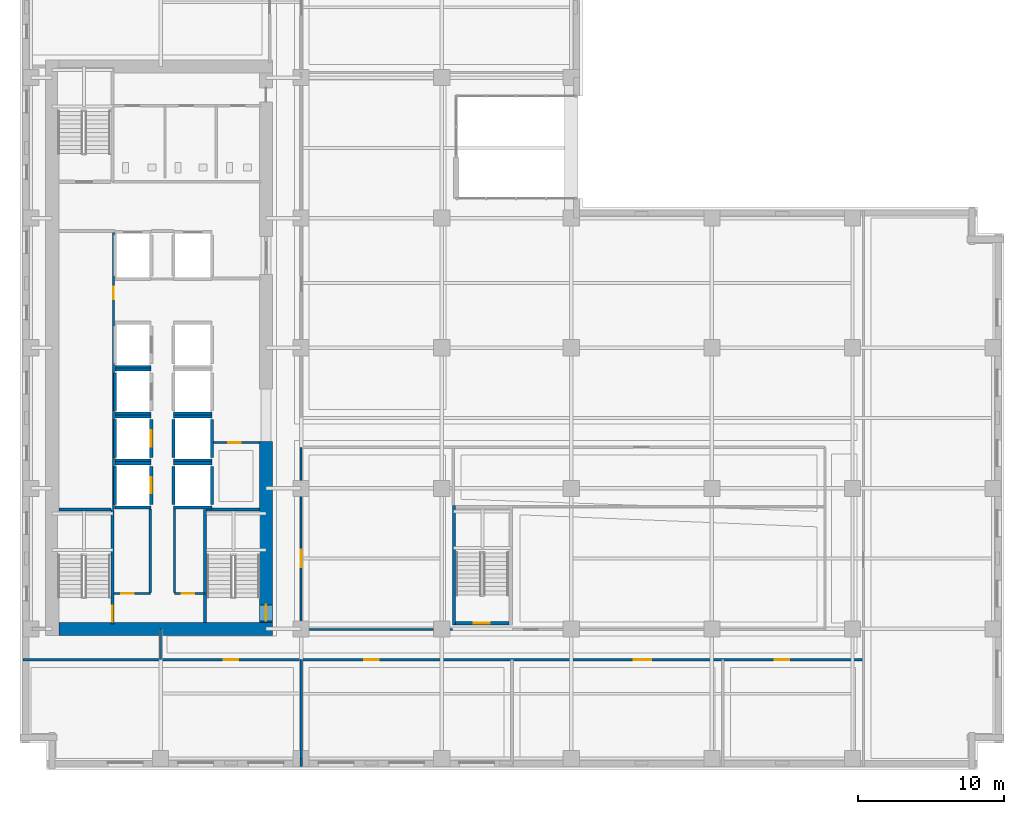
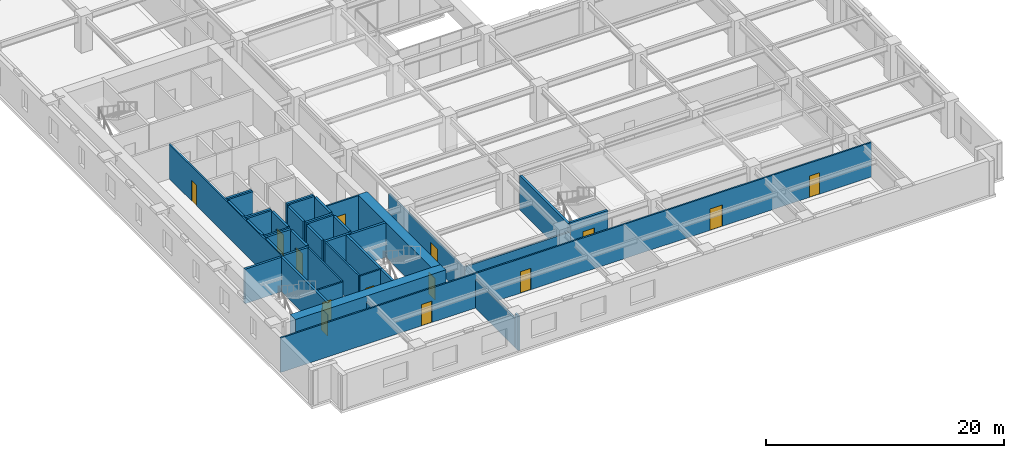
# One storey, part 4 of 14: 41 walls, 14 doors, 14 openings.
"""IFC4 building model written with IfcOpenShell, lengths in metres."""

from ifc_helpers import new_model, si_unit, direction, frame, frame_2d, origin, place, context, subcontext, project, spatial, rectangle, extrude, material, layer, layer_set, type_object, element, fill, save


model = new_model("IFC4")

# Units and contexts
model_context = context("Model", 3, precision=1e-05, world=origin(), true_north=direction((0.0, 1.0)))
body_context = subcontext(model_context, "Body", "Model", "MODEL_VIEW")
ifc_project = project(units=[si_unit("LENGTHUNIT", "METRE"), si_unit("AREAUNIT", "SQUARE_METRE"), si_unit("VOLUMEUNIT", "CUBIC_METRE"), si_unit("PLANEANGLEUNIT", "RADIAN"), si_unit("MASSUNIT", "GRAM", prefix="KILO")], contexts=[model_context])

# Site, building, storey
site_placement = place(None, origin())
site = spatial("IfcSite", under=ifc_project, at=site_placement, CompositionType="ELEMENT")
building_placement = place(site_placement, origin())
building = spatial("IfcBuilding", under=site, at=building_placement, Name="Norrvale University Quadrangle", CompositionType="ELEMENT")
storey_placement = place(building_placement, frame((0.0, 0.0, 62.199951171875)))
storey = spatial("IfcBuildingStorey", under=building, at=storey_placement, Name="L15", CompositionType="ELEMENT", Elevation=62.199951171875)

# Wall
ifc_material_1 = material(Name="Concrete C80/95", Category="concrete")
ifc_layer_1 = layer(ifc_material_1, 0.89990234375, Name="Concrete C80/95")
ifc_layer_set_1 = layer_set([ifc_layer_1], Name="Concrete C80/95")
wall_type_1 = type_object("IfcWallType", Name="Wall Core 900", PredefinedType="SHEAR", material=ifc_layer_set_1)
wall_1_placement = place(storey_placement, frame((2.64990234375, 9.60009765625, 0.0), z_axis=(0.0, 0.0, 1.0), x_axis=(1.0, 0.0, 0.0)))
element("IfcWall", 1, at=wall_1_placement, inside=storey, type_object=wall_type_1, Name="Tower Core Shear Wall L15-S", PredefinedType="SHEAR", context=body_context, shape_type="SweptSolid", body=[
    extrude(rectangle(XDim=14.60009765625, YDim=0.89990234375, at=frame_2d((7.300048828125, 0.0))), origin(), (0.0, 0.0, 1.0), 3.5400390625),
])

# Wall, opening, door
wall_2_placement = place(storey_placement, frame((16.800048828125, 10.050048828125, 0.0), z_axis=(0.0, 0.0, 1.0), x_axis=(0.0, 1.0, 0.0)))
wall_2 = element("IfcWall", 2, at=wall_2_placement, inside=storey, type_object=wall_type_1, Name="Tower Core Shear Wall L15-E1", PredefinedType="SHEAR", context=body_context, shape_type="SweptSolid", body=[
    extrude(rectangle(XDim=12.349853515625, YDim=0.89990234375, at=frame_2d((6.1748046875, 0.0))), origin(), (0.0, 0.0, 1.0), 3.5400390625),
])
opening_1_placement = place(wall_2_placement, frame((0.090087890625, 0.0, 0.0)))
opening_1 = element("IfcOpeningElement", 3, at=opening_1_placement, cuts=wall_2, Name="Opening D02", PredefinedType="OPENING", context=body_context, shape_type="SweptSolid", body=[
    extrude(rectangle(XDim=1.10009765625, YDim=2.199951171875, at=frame_2d((0.550048828125, 1.10009765625))), frame((0.0, 0.4619140625, 0.0), z_axis=(0.0, -1.0, 0.0), x_axis=(1.0, 0.0, 0.0)), (0.0, 0.0, 1.0), 0.923828125),
])
ifc_material_2 = material(Name="Hollow Steel 350W Fire Door", Category="steel")
door_type_1 = type_object("IfcDoorType", Name="Door Stair Exit 1100x2200", OperationType="NOTDEFINED", PredefinedType="DOOR", material=ifc_material_2)
door_1_placement = place(opening_1_placement, origin())
door_1 = element("IfcDoor", 4, at=door_1_placement, inside=storey, type_object=door_type_1, Name="Door Stair Exit 1100x2200 DR-L15-ST03", OperationType="SINGLE_SWING_LEFT", OverallHeight=2.199951171875, OverallWidth=1.10009765625, PredefinedType="DOOR", context=body_context, shape_type="SweptSolid", body=[
    extrude(rectangle(XDim=1.10009765625, YDim=2.199951171875, at=frame_2d((0.550048828125, 1.10009765625))), frame((0.0, 0.02490234375, 0.0), z_axis=(0.0, -1.0, 0.0), x_axis=(1.0, 0.0, 0.0)), (0.0, 0.0, 1.0), 0.050048828125),
])
fill(opening_1, door_1)

ifc_material_3 = material(Name="Fire-Rated Gypsum Stud Partition")
ifc_layer_2 = layer(ifc_material_3, 0.14990234375, Name="Fire-Rated Gypsum Stud Partition")
ifc_layer_set_2 = layer_set([ifc_layer_2], Name="Fire-Rated Gypsum Stud Partition")
wall_type_2 = type_object("IfcWallType", Name="Wall Gypsum Corridor 150", PredefinedType="PARTITIONING", material=ifc_layer_set_2)
wall_3_placement = place(storey_placement, frame((6.419921875, 12.02001953125, 0.0), z_axis=(0.0, 0.0, 1.0), x_axis=(1.0, 0.0, 0.0)))
wall_3 = element("IfcWall", 5, at=wall_3_placement, inside=storey, type_object=wall_type_2, Name="Interior Partition WL-L15-SC-NL", PredefinedType="PARTITIONING", context=body_context, shape_type="SweptSolid", body=[
    extrude(rectangle(XDim=2.47998046875, YDim=0.14990234375, at=frame_2d((1.239990234375, 0.0))), origin(), (0.0, 0.0, 1.0), 3.5400390625),
])
opening_2_placement = place(wall_3_placement, frame((0.5, 0.0, 0.0)))
opening_2 = element("IfcOpeningElement", 6, at=opening_2_placement, cuts=wall_3, Name="Opening D10", PredefinedType="OPENING", context=body_context, shape_type="SweptSolid", body=[
    extrude(rectangle(XDim=0.85009765625, YDim=2.10009765625, at=frame_2d((0.425048828125, 1.050048828125))), frame((0.0, 0.0869140625, 0.0), z_axis=(0.0, -1.0, 0.0), x_axis=(1.0, 0.0, 0.0)), (0.0, 0.0, 1.0), 0.173828125),
])
ifc_material_4 = material(Name="Hollow Steel 350W Riser Fire Door", Category="steel")
door_type_2 = type_object("IfcDoorType", Name="Door Riser 850x2100", OperationType="NOTDEFINED", PredefinedType="DOOR", material=ifc_material_4)
door_2_placement = place(opening_2_placement, origin())
door_2 = element("IfcDoor", 7, at=door_2_placement, inside=storey, type_object=door_type_2, Name="Door Riser 850x2100 DR-L15-ELEC", OperationType="SINGLE_SWING_LEFT", OverallHeight=2.10009765625, OverallWidth=0.85009765625, PredefinedType="DOOR", context=body_context, shape_type="SweptSolid", body=[
    extrude(rectangle(XDim=0.85009765625, YDim=2.10009765625, at=frame_2d((0.425048828125, 1.050048828125))), frame((0.0, 0.02490234375, 0.0), z_axis=(0.0, -1.0, 0.0), x_axis=(1.0, 0.0, 0.0)), (0.0, 0.0, 1.0), 0.050048828125),
])
fill(opening_2, door_2)

wall_4_placement = place(storey_placement, frame((10.550048828125, 12.02001953125, 0.0), z_axis=(0.0, 0.0, 1.0), x_axis=(1.0, 0.0, 0.0)))
wall_4 = element("IfcWall", 8, at=wall_4_placement, inside=storey, type_object=wall_type_2, Name="Interior Partition WL-L15-SC-NR", PredefinedType="PARTITIONING", context=body_context, shape_type="SweptSolid", body=[
    extrude(rectangle(XDim=2.079833984375, YDim=0.14990234375, at=frame_2d((1.0400390625, 0.0))), origin(), (0.0, 0.0, 1.0), 3.5400390625),
])
opening_3_placement = place(wall_4_placement, frame((0.5, 0.0, 0.0)))
opening_3 = element("IfcOpeningElement", 9, at=opening_3_placement, cuts=wall_4, Name="Opening D10", PredefinedType="OPENING", context=body_context, shape_type="SweptSolid", body=[
    extrude(rectangle(XDim=0.85009765625, YDim=2.10009765625, at=frame_2d((0.425048828125, 1.050048828125))), frame((0.0, 0.0869140625, 0.0), z_axis=(0.0, -1.0, 0.0), x_axis=(1.0, 0.0, 0.0)), (0.0, 0.0, 1.0), 0.173828125),
])
door_3_placement = place(opening_3_placement, origin())
door_3 = element("IfcDoor", 10, at=door_3_placement, inside=storey, type_object=door_type_2, Name="Door Riser 850x2100 DR-L15-IDF", OperationType="SINGLE_SWING_RIGHT", OverallHeight=2.10009765625, OverallWidth=0.85009765625, PredefinedType="DOOR", context=body_context, shape_type="SweptSolid", body=[
    extrude(rectangle(XDim=0.85009765625, YDim=2.10009765625, at=frame_2d((0.425048828125, 1.050048828125))), frame((0.0, 0.02490234375, 0.0), z_axis=(0.0, -1.0, 0.0), x_axis=(1.0, 0.0, 0.0)), (0.0, 0.0, 1.0), 0.050048828125),
])
fill(opening_3, door_3)

# Walls
for number, where, z_axis, x_axis, name in (
    (11, (8.89990234375, 12.094970703125, 0.0), (0.0, 0.0, 1.0), (0.0, 1.0, 0.0), "Interior Partition WL-L15-SC-WL"),
    (12, (10.550048828125, 12.094970703125, 0.0), (0.0, 0.0, 1.0), (0.0, 1.0, 0.0), "Interior Partition WL-L15-SC-WR"),
):
    element("IfcWall", number, at=place(storey_placement, frame(where, z_axis=z_axis, x_axis=x_axis)), inside=storey, type_object=wall_type_2, Name=name, PredefinedType="PARTITIONING", context=body_context, shape_type="SweptSolid", body=[
        extrude(rectangle(XDim=5.679931640625, YDim=0.14990234375, at=frame_2d((2.83984375, 0.0))), origin(), (0.0, 0.0, 1.0), 3.5400390625),
    ])

# Wall, opening, door
wall_5_placement = place(storey_placement, frame((13.22509765625, 22.320068359375, 0.0), z_axis=(0.0, 0.0, 1.0), x_axis=(1.0, 0.0, 0.0)))
wall_5 = element("IfcWall", 13, at=wall_5_placement, inside=storey, type_object=wall_type_2, Name="Interior Partition WL-L15-JAN-N", PredefinedType="PARTITIONING", context=body_context, shape_type="SweptSolid", body=[
    extrude(rectangle(XDim=3.119873046875, YDim=0.14990234375, at=frame_2d((1.56005859375, 0.0))), origin(), (0.0, 0.0, 1.0), 3.5400390625),
])
opening_4_placement = place(wall_5_placement, frame((1.0, 0.0, 0.0)))
opening_4 = element("IfcOpeningElement", 14, at=opening_4_placement, cuts=wall_5, Name="Opening D10", PredefinedType="OPENING", context=body_context, shape_type="SweptSolid", body=[
    extrude(rectangle(XDim=0.85009765625, YDim=2.10009765625, at=frame_2d((0.425048828125, 1.050048828125))), frame((0.0, 0.0869140625, 0.0), z_axis=(0.0, -1.0, 0.0), x_axis=(1.0, 0.0, 0.0)), (0.0, 0.0, 1.0), 0.173828125),
])
door_4_placement = place(opening_4_placement, origin())
door_4 = element("IfcDoor", 15, at=door_4_placement, inside=storey, type_object=door_type_2, Name="Door Riser 850x2100 DR-L15-JAN", OperationType="SINGLE_SWING_LEFT", OverallHeight=2.10009765625, OverallWidth=0.85009765625, PredefinedType="DOOR", context=body_context, shape_type="SweptSolid", body=[
    extrude(rectangle(XDim=0.85009765625, YDim=2.10009765625, at=frame_2d((0.425048828125, 1.050048828125))), frame((0.0, 0.02490234375, 0.0), z_axis=(0.0, -1.0, 0.0), x_axis=(1.0, 0.0, 0.0)), (0.0, 0.0, 1.0), 0.050048828125),
])
fill(opening_4, door_4)

wall_6_placement = place(storey_placement, frame((6.3798828125, 17.800048828125, 0.0), z_axis=(0.0, 0.0, 1.0), x_axis=(0.0, 1.0, 0.0)))
wall_6 = element("IfcWall", 16, at=wall_6_placement, inside=storey, type_object=wall_type_2, Name="Interior Partition WL-L15-WME-E", PredefinedType="PARTITIONING", context=body_context, shape_type="SweptSolid", body=[
    extrude(rectangle(XDim=18.97998046875, YDim=0.14990234375, at=frame_2d((9.489990234375, 0.0))), origin(), (0.0, 0.0, 1.0), 3.5400390625),
])
opening_5_placement = place(wall_6_placement, frame((14.300048828125, 0.0, 0.0)))
opening_5 = element("IfcOpeningElement", 17, at=opening_5_placement, cuts=wall_6, Name="Opening D10", PredefinedType="OPENING", context=body_context, shape_type="SweptSolid", body=[
    extrude(rectangle(XDim=0.85009765625, YDim=2.10009765625, at=frame_2d((0.425048828125, 1.050048828125))), frame((0.0, 0.0869140625, 0.0), z_axis=(0.0, -1.0, 0.0), x_axis=(1.0, 0.0, 0.0)), (0.0, 0.0, 1.0), 0.173828125),
])
door_5_placement = place(opening_5_placement, origin())
door_5 = element("IfcDoor", 18, at=door_5_placement, inside=storey, type_object=door_type_2, Name="Door Riser 850x2100 DR-L15-WME", OperationType="SINGLE_SWING_LEFT", OverallHeight=2.10009765625, OverallWidth=0.85009765625, PredefinedType="DOOR", context=body_context, shape_type="SweptSolid", body=[
    extrude(rectangle(XDim=0.85009765625, YDim=2.10009765625, at=frame_2d((0.425048828125, 1.050048828125))), frame((0.0, 0.02490234375, 0.0), z_axis=(0.0, -1.0, 0.0), x_axis=(1.0, 0.0, 0.0)), (0.0, 0.0, 1.0), 0.050048828125),
])
fill(opening_5, door_5)

# Wall
wall_7_placement = place(storey_placement, frame((9.60009765625, 7.5, 0.0), z_axis=(0.0, 0.0, 1.0), x_axis=(0.0, 1.0, 0.0)))
element("IfcWall", 19, at=wall_7_placement, inside=storey, type_object=wall_type_2, Name="Interior Partition WL-L15-CSW-END", PredefinedType="PARTITIONING", context=body_context, shape_type="SweptSolid", body=[
    extrude(rectangle(XDim=2.10009765625, YDim=0.14990234375, at=frame_2d((1.050048828125, 0.0))), origin(), (0.0, 0.0, 1.0), 2.923095703125),
])

# Wall, openings, doors
wall_8_placement = place(storey_placement, frame((0.219970703125, 7.5, 0.0), z_axis=(0.0, 0.0, 1.0), x_axis=(1.0, 0.0, 0.0)))
wall_8 = element("IfcWall", 20, at=wall_8_placement, inside=storey, type_object=wall_type_2, Name="Interior Partition WL-L15-SCW", PredefinedType="PARTITIONING", context=body_context, shape_type="SweptSolid", body=[
    extrude(rectangle(XDim=57.380126953125, YDim=0.14990234375, at=frame_2d((28.68994140625, 0.0))), origin(), (0.0, 0.0, 1.0), 3.5400390625),
])
opening_6_placement = place(wall_8_placement, frame((13.679931640625, 0.0, 0.0)))
opening_6 = element("IfcOpeningElement", 21, at=opening_6_placement, cuts=wall_8, Name="Opening D04", PredefinedType="OPENING", context=body_context, shape_type="SweptSolid", body=[
    extrude(rectangle(XDim=1.0, YDim=2.199951171875, at=frame_2d((0.5, 1.10009765625))), frame((0.0, 0.0869140625, 0.0), z_axis=(0.0, -1.0, 0.0), x_axis=(1.0, 0.0, 0.0)), (0.0, 0.0, 1.0), 0.173828125),
])
opening_7_placement = place(wall_8_placement, frame((23.280029296875, 0.0, 0.0)))
opening_7 = element("IfcOpeningElement", 22, at=opening_7_placement, cuts=wall_8, Name="Opening D04", PredefinedType="OPENING", context=body_context, shape_type="SweptSolid", body=[
    extrude(rectangle(XDim=1.0, YDim=2.199951171875, at=frame_2d((0.5, 1.10009765625))), frame((0.0, 0.0869140625, 0.0), z_axis=(0.0, -1.0, 0.0), x_axis=(1.0, 0.0, 0.0)), (0.0, 0.0, 1.0), 0.173828125),
])
opening_8_placement = place(wall_8_placement, frame((41.679931640625, 0.0, 0.0)))
opening_8 = element("IfcOpeningElement", 23, at=opening_8_placement, cuts=wall_8, Name="Opening D05", PredefinedType="OPENING", context=body_context, shape_type="SweptSolid", body=[
    extrude(rectangle(XDim=1.199951171875, YDim=2.199951171875, at=frame_2d((0.60009765625, 1.10009765625))), frame((0.0, 0.0869140625, 0.0), z_axis=(0.0, -1.0, 0.0), x_axis=(1.0, 0.0, 0.0)), (0.0, 0.0, 1.0), 0.173828125),
])
opening_9_placement = place(wall_8_placement, frame((51.330078125, 0.0, 0.0)))
opening_9 = element("IfcOpeningElement", 24, at=opening_9_placement, cuts=wall_8, Name="Opening D04", PredefinedType="OPENING", context=body_context, shape_type="SweptSolid", body=[
    extrude(rectangle(XDim=1.0, YDim=2.199951171875, at=frame_2d((0.5, 1.10009765625))), frame((0.0, 0.0869140625, 0.0), z_axis=(0.0, -1.0, 0.0), x_axis=(1.0, 0.0, 0.0)), (0.0, 0.0, 1.0), 0.173828125),
])
ifc_material_5 = material(Name="Acoustic Oak Classroom Door", Category="wood")
door_type_3 = type_object("IfcDoorType", Name="Door Classroom 1200x2200", OperationType="NOTDEFINED", PredefinedType="DOOR", material=ifc_material_5)
door_6_placement = place(opening_8_placement, origin())
door_6 = element("IfcDoor", 25, at=door_6_placement, inside=storey, type_object=door_type_3, Name="Door Classroom 1200x2200 DR-L15-S03", OperationType="SINGLE_SWING_LEFT", OverallHeight=2.199951171875, OverallWidth=1.199951171875, PredefinedType="DOOR", context=body_context, shape_type="SweptSolid", body=[
    extrude(rectangle(XDim=1.199951171875, YDim=2.199951171875, at=frame_2d((0.60009765625, 1.10009765625))), frame((0.0, 0.02490234375, 0.0), z_axis=(0.0, -1.0, 0.0), x_axis=(1.0, 0.0, 0.0)), (0.0, 0.0, 1.0), 0.050048828125),
])
fill(opening_8, door_6)
ifc_material_6 = material(Name="Solid-Core Oak Fire Door", Category="wood")
door_type_4 = type_object("IfcDoorType", Name="Door Corridor 1000x2200", OperationType="NOTDEFINED", PredefinedType="DOOR", material=ifc_material_6)
door_7_placement = place(opening_6_placement, origin())
door_7 = element("IfcDoor", 26, at=door_7_placement, inside=storey, type_object=door_type_4, Name="Door Corridor 1000x2200 DR-L15-S01", OperationType="SINGLE_SWING_LEFT", OverallHeight=2.199951171875, OverallWidth=1.0, PredefinedType="DOOR", context=body_context, shape_type="SweptSolid", body=[
    extrude(rectangle(XDim=1.0, YDim=2.199951171875, at=frame_2d((0.5, 1.10009765625))), frame((0.0, 0.02490234375, 0.0), z_axis=(0.0, -1.0, 0.0), x_axis=(1.0, 0.0, 0.0)), (0.0, 0.0, 1.0), 0.050048828125),
])
fill(opening_6, door_7)
door_8_placement = place(opening_7_placement, origin())
door_8 = element("IfcDoor", 27, at=door_8_placement, inside=storey, type_object=door_type_4, Name="Door Corridor 1000x2200 DR-L15-S02", OperationType="SINGLE_SWING_RIGHT", OverallHeight=2.199951171875, OverallWidth=1.0, PredefinedType="DOOR", context=body_context, shape_type="SweptSolid", body=[
    extrude(rectangle(XDim=1.0, YDim=2.199951171875, at=frame_2d((0.5, 1.10009765625))), frame((0.0, 0.02490234375, 0.0), z_axis=(0.0, -1.0, 0.0), x_axis=(1.0, 0.0, 0.0)), (0.0, 0.0, 1.0), 0.050048828125),
])
fill(opening_7, door_8)
door_9_placement = place(opening_9_placement, origin())
door_9 = element("IfcDoor", 28, at=door_9_placement, inside=storey, type_object=door_type_4, Name="Door Corridor 1000x2200 DR-L15-S04", OperationType="SINGLE_SWING_RIGHT", OverallHeight=2.199951171875, OverallWidth=1.0, PredefinedType="DOOR", context=body_context, shape_type="SweptSolid", body=[
    extrude(rectangle(XDim=1.0, YDim=2.199951171875, at=frame_2d((0.5, 1.10009765625))), frame((0.0, 0.02490234375, 0.0), z_axis=(0.0, -1.0, 0.0), x_axis=(1.0, 0.0, 0.0)), (0.0, 0.0, 1.0), 0.050048828125),
])
fill(opening_9, door_9)

# Wall, opening, door
wall_9_placement = place(storey_placement, frame((19.199951171875, 9.550048828125, 0.0), z_axis=(0.0, 0.0, 1.0), x_axis=(0.0, 1.0, 0.0)))
wall_9 = element("IfcWall", 29, at=wall_9_placement, inside=storey, type_object=wall_type_2, Name="Interior Partition WL-L15-ISLW", PredefinedType="PARTITIONING", context=body_context, shape_type="SweptSolid", body=[
    extrude(rectangle(XDim=12.449951171875, YDim=0.14990234375, at=frame_2d((6.22509765625, 0.0))), origin(), (0.0, 0.0, 1.0), 2.923095703125),
])
opening_10_placement = place(wall_9_placement, frame((4.25, 0.0, 0.0)))
opening_10 = element("IfcOpeningElement", 30, at=opening_10_placement, cuts=wall_9, Name="Opening D05", PredefinedType="OPENING", context=body_context, shape_type="SweptSolid", body=[
    extrude(rectangle(XDim=1.199951171875, YDim=2.199951171875, at=frame_2d((0.60009765625, 1.10009765625))), frame((0.0, 0.0869140625, 0.0), z_axis=(0.0, -1.0, 0.0), x_axis=(1.0, 0.0, 0.0)), (0.0, 0.0, 1.0), 0.173828125),
])
door_10_placement = place(opening_10_placement, origin())
door_10 = element("IfcDoor", 31, at=door_10_placement, inside=storey, type_object=door_type_3, Name="Door Classroom 1200x2200 DR-L15-IW1", OperationType="SINGLE_SWING_LEFT", OverallHeight=2.199951171875, OverallWidth=1.199951171875, PredefinedType="DOOR", context=body_context, shape_type="SweptSolid", body=[
    extrude(rectangle(XDim=1.199951171875, YDim=2.199951171875, at=frame_2d((0.60009765625, 1.10009765625))), frame((0.0, 0.02490234375, 0.0), z_axis=(0.0, -1.0, 0.0), x_axis=(1.0, 0.0, 0.0)), (0.0, 0.0, 1.0), 0.050048828125),
])
fill(opening_10, door_10)

# Walls
wall_10_placement = place(storey_placement, frame((19.280029296875, 9.550048828125, 0.0), z_axis=(0.0, 0.0, 1.0), x_axis=(1.0, 0.0, 0.0)))
element("IfcWall", 32, at=wall_10_placement, inside=storey, type_object=wall_type_2, Name="Interior Partition WL-L15-ISLS1", PredefinedType="PARTITIONING", context=body_context, shape_type="SweptSolid", body=[
    extrude(rectangle(XDim=10.244873046875, YDim=0.14990234375, at=frame_2d((5.12255859375, 0.0))), origin(), (0.0, 0.0, 1.0), 2.923095703125),
])
ifc_material_7 = material(Name="Acoustic Double-Stud Gypsum Partition")
ifc_layer_3 = layer(ifc_material_7, 0.179931640625, Name="Acoustic Double-Stud Gypsum Partition")
ifc_layer_set_3 = layer_set([ifc_layer_3], Name="Acoustic Double-Stud Gypsum Partition")
wall_type_3 = type_object("IfcWallType", Name="Wall Gypsum Lecture 180", PredefinedType="PARTITIONING", material=ifc_layer_set_3)
wall_11_placement = place(storey_placement, frame((19.199951171875, 0.219970703125, 0.0), z_axis=(0.0, 0.0, 1.0), x_axis=(0.0, 1.0, 0.0)))
element("IfcWall", 33, at=wall_11_placement, inside=storey, type_object=wall_type_3, Name="Interior Partition WL-L15-SP01", PredefinedType="PARTITIONING", context=body_context, shape_type="SweptSolid", body=[
    extrude(rectangle(XDim=0.530029296875, YDim=0.179931640625, at=frame_2d((0.26513671875, 0.0))), origin(), (0.0, 0.0, 1.0), 3.5400390625),
])
wall_12_placement = place(storey_placement, frame((19.199951171875, 0.75, 0.0), z_axis=(0.0, 0.0, 1.0), x_axis=(0.0, 1.0, 0.0)))
element("IfcWall", 34, at=wall_12_placement, inside=storey, type_object=wall_type_3, Name="Interior Partition WL-L15-SP01-B2", PredefinedType="PARTITIONING", context=body_context, shape_type="SweptSolid", body=[
    extrude(rectangle(XDim=6.75, YDim=0.179931640625, at=frame_2d((3.375, 0.0))), origin(), (0.0, 0.0, 1.0), 2.923095703125),
])

# Wall, opening, door
ifc_material_8 = material(Name="Concrete Blockwork 20 MPa Fire Shaft", Category="masonry")
ifc_layer_4 = layer(ifc_material_8, 0.219970703125, Name="Concrete Blockwork 20 MPa Fire Shaft")
ifc_layer_set_4 = layer_set([ifc_layer_4], Name="Concrete Blockwork 20 MPa Fire Shaft")
wall_type_4 = type_object("IfcWallType", Name="Wall Shaft 220", PredefinedType="SOLIDWALL", material=ifc_layer_set_4)
wall_13_placement = place(storey_placement, frame((6.31005859375, 9.949951171875, 0.0), z_axis=(0.0, 0.0, 1.0), x_axis=(0.0, 1.0, 0.0)))
wall_13 = element("IfcWall", 35, at=wall_13_placement, inside=storey, type_object=wall_type_4, Name="Stair ST-01 East Shaft Wall L15", PredefinedType="SOLIDWALL", context=body_context, shape_type="SweptSolid", body=[
    extrude(rectangle(XDim=7.81005859375, YDim=0.219970703125, at=frame_2d((3.905029296875, 0.0))), origin(), (0.0, 0.0, 1.0), 3.5400390625),
])
opening_11_placement = place(wall_13_placement, frame((0.139892578125, 0.0, 0.0)))
opening_11 = element("IfcOpeningElement", 36, at=opening_11_placement, cuts=wall_13, Name="Opening D02", PredefinedType="OPENING", context=body_context, shape_type="SweptSolid", body=[
    extrude(rectangle(XDim=1.10009765625, YDim=2.199951171875, at=frame_2d((0.550048828125, 1.10009765625))), frame((0.0, 0.1220703125, 0.0), z_axis=(0.0, -1.0, 0.0), x_axis=(1.0, 0.0, 0.0)), (0.0, 0.0, 1.0), 0.243896484375),
])
door_11_placement = place(opening_11_placement, origin())
door_11 = element("IfcDoor", 37, at=door_11_placement, inside=storey, type_object=door_type_1, Name="Door Stair Exit 1100x2200 DR-L15-ST01", OperationType="SINGLE_SWING_LEFT", OverallHeight=2.199951171875, OverallWidth=1.10009765625, PredefinedType="DOOR", context=body_context, shape_type="SweptSolid", body=[
    extrude(rectangle(XDim=1.10009765625, YDim=2.199951171875, at=frame_2d((0.550048828125, 1.10009765625))), frame((0.0, 0.02490234375, 0.0), z_axis=(0.0, -1.0, 0.0), x_axis=(1.0, 0.0, 0.0)), (0.0, 0.0, 1.0), 0.050048828125),
])
fill(opening_11, door_11)

# Walls
wall_14_placement = place(storey_placement, frame((2.64990234375, 17.760009765625, 0.0), z_axis=(0.0, 0.0, 1.0), x_axis=(1.0, 0.0, 0.0)))
element("IfcWall", 38, at=wall_14_placement, inside=storey, type_object=wall_type_4, Name="Stair ST-01 North Shaft Wall L15", PredefinedType="SOLIDWALL", context=body_context, shape_type="SweptSolid", body=[
    extrude(rectangle(XDim=3.550048828125, YDim=0.219970703125, at=frame_2d((1.77490234375, 0.0))), origin(), (0.0, 0.0, 1.0), 3.5400390625),
])
wall_15_placement = place(storey_placement, frame((12.639892578125, 10.050048828125, 0.0), z_axis=(0.0, 0.0, 1.0), x_axis=(0.0, 1.0, 0.0)))
element("IfcWall", 39, at=wall_15_placement, inside=storey, type_object=wall_type_4, Name="Stair ST-03 West Shaft Wall L15", PredefinedType="SOLIDWALL", context=body_context, shape_type="SweptSolid", body=[
    extrude(rectangle(XDim=7.7099609375, YDim=0.219970703125, at=frame_2d((3.85498046875, 0.0))), origin(), (0.0, 0.0, 1.0), 3.5400390625),
])
wall_16_placement = place(storey_placement, frame((12.75, 17.760009765625, 0.0), z_axis=(0.0, 0.0, 1.0), x_axis=(1.0, 0.0, 0.0)))
element("IfcWall", 40, at=wall_16_placement, inside=storey, type_object=wall_type_4, Name="Stair ST-03 North Shaft Wall L15", PredefinedType="SOLIDWALL", context=body_context, shape_type="SweptSolid", body=[
    extrude(rectangle(XDim=3.60009765625, YDim=0.219970703125, at=frame_2d((1.800048828125, 0.0))), origin(), (0.0, 0.0, 1.0), 3.5400390625),
])

# Wall, opening, door
wall_17_placement = place(storey_placement, frame((29.75, 9.989990234375, 0.0), z_axis=(0.0, 0.0, 1.0), x_axis=(1.0, 0.0, 0.0)))
wall_17 = element("IfcWall", 41, at=wall_17_placement, inside=storey, type_object=wall_type_4, Name="Stair ST-04 South Shaft Wall L15", PredefinedType="SOLIDWALL", context=body_context, shape_type="SweptSolid", body=[
    extrude(rectangle(XDim=3.64990234375, YDim=0.219970703125, at=frame_2d((1.824951171875, 0.0))), origin(), (0.0, 0.0, 1.0), 3.5400390625),
])
opening_12_placement = place(wall_17_placement, frame((1.239990234375, 0.0, 0.0)))
opening_12 = element("IfcOpeningElement", 42, at=opening_12_placement, cuts=wall_17, Name="Opening D02", PredefinedType="OPENING", context=body_context, shape_type="SweptSolid", body=[
    extrude(rectangle(XDim=1.10009765625, YDim=2.199951171875, at=frame_2d((0.550048828125, 1.10009765625))), frame((0.0, 0.1220703125, 0.0), z_axis=(0.0, -1.0, 0.0), x_axis=(1.0, 0.0, 0.0)), (0.0, 0.0, 1.0), 0.243896484375),
])
door_12_placement = place(opening_12_placement, origin())
door_12 = element("IfcDoor", 43, at=door_12_placement, inside=storey, type_object=door_type_1, Name="Door Stair Exit 1100x2200 DR-L15-ST04", OperationType="SINGLE_SWING_LEFT", OverallHeight=2.199951171875, OverallWidth=1.10009765625, PredefinedType="DOOR", context=body_context, shape_type="SweptSolid", body=[
    extrude(rectangle(XDim=1.10009765625, YDim=2.199951171875, at=frame_2d((0.550048828125, 1.10009765625))), frame((0.0, 0.02490234375, 0.0), z_axis=(0.0, -1.0, 0.0), x_axis=(1.0, 0.0, 0.0)), (0.0, 0.0, 1.0), 0.050048828125),
])
fill(opening_12, door_12)

# Walls
wall_18_placement = place(storey_placement, frame((29.639892578125, 9.8798828125, 0.0), z_axis=(0.0, 0.0, 1.0), x_axis=(0.0, 1.0, 0.0)))
element("IfcWall", 44, at=wall_18_placement, inside=storey, type_object=wall_type_4, Name="Stair ST-04 West Shaft Wall L15", PredefinedType="SOLIDWALL", context=body_context, shape_type="SweptSolid", body=[
    extrude(rectangle(XDim=8.14013671875, YDim=0.219970703125, at=frame_2d((4.070068359375, 0.0))), origin(), (0.0, 0.0, 1.0), 3.5400390625),
])
wall_19_placement = place(storey_placement, frame((6.489990234375, 18.110107421875, 0.0), z_axis=(0.0, 0.0, 1.0), x_axis=(0.0, 1.0, 0.0)))
element("IfcWall", 45, at=wall_19_placement, inside=storey, type_object=wall_type_4, Name="Hoistway PL-01 West Wall L15", PredefinedType="SOLIDWALL", context=body_context, shape_type="SweptSolid", body=[
    extrude(rectangle(XDim=2.579833984375, YDim=0.219970703125, at=frame_2d((1.2900390625, 0.0))), origin(), (0.0, 0.0, 1.0), 3.5400390625),
])

# Wall, opening, door
wall_20_placement = place(storey_placement, frame((8.9599609375, 18.110107421875, 0.0), z_axis=(0.0, 0.0, 1.0), x_axis=(0.0, 1.0, 0.0)))
wall_20 = element("IfcWall", 46, at=wall_20_placement, inside=storey, type_object=wall_type_4, Name="Hoistway PL-01 East Wall L15", PredefinedType="SOLIDWALL", context=body_context, shape_type="SweptSolid", body=[
    extrude(rectangle(XDim=2.579833984375, YDim=0.219970703125, at=frame_2d((1.2900390625, 0.0))), origin(), (0.0, 0.0, 1.0), 3.5400390625),
])
opening_13_placement = place(wall_20_placement, frame((0.739990234375, 0.0, 0.0)))
opening_13 = element("IfcOpeningElement", 47, at=opening_13_placement, cuts=wall_20, Name="Opening LD1", PredefinedType="OPENING", context=body_context, shape_type="SweptSolid", body=[
    extrude(rectangle(XDim=1.10009765625, YDim=2.199951171875, at=frame_2d((0.550048828125, 1.10009765625))), frame((0.0, 0.1220703125, 0.0), z_axis=(0.0, -1.0, 0.0), x_axis=(1.0, 0.0, 0.0)), (0.0, 0.0, 1.0), 0.243896484375),
])
ifc_material_9 = material(Name="Stainless Steel 316L Lift Landing Door", Category="steel")
door_type_5 = type_object("IfcDoorType", Name="Door Lift Landing 1100x2200", OperationType="DOUBLE_DOOR_SLIDING", PredefinedType="DOOR", material=ifc_material_9)
door_13_placement = place(opening_13_placement, origin())
door_13 = element("IfcDoor", 48, at=door_13_placement, inside=storey, type_object=door_type_5, Name="Elevator Landing Door DR-L15-PL-01", OperationType="DOUBLE_DOOR_SLIDING", OverallHeight=2.199951171875, OverallWidth=1.10009765625, PredefinedType="DOOR", context=body_context, shape_type="SweptSolid", body=[
    extrude(rectangle(XDim=1.10009765625, YDim=2.199951171875, at=frame_2d((0.550048828125, 1.10009765625))), frame((0.0, 0.02490234375, 0.0), z_axis=(0.0, -1.0, 0.0), x_axis=(1.0, 0.0, 0.0)), (0.0, 0.0, 1.0), 0.050048828125),
])
fill(opening_13, door_13)

# Walls
for number, where, z_axis, x_axis, name in (
    (49, (6.489990234375, 17.889892578125, 0.0), (0.0, 0.0, 1.0), (1.0, 0.0, 0.0), "Hoistway PL-01 South Wall L15"),
    (50, (6.489990234375, 20.909912109375, 0.0), (0.0, 0.0, 1.0), (1.0, 0.0, 0.0), "Hoistway PL-01 North Wall L15"),
):
    element("IfcWall", number, at=place(storey_placement, frame(where, z_axis=z_axis, x_axis=x_axis)), inside=storey, type_object=wall_type_4, Name=name, PredefinedType="SOLIDWALL", context=body_context, shape_type="SweptSolid", body=[
        extrude(rectangle(XDim=2.469970703125, YDim=0.219970703125, at=frame_2d((1.23486328125, 0.0))), origin(), (0.0, 0.0, 1.0), 3.5400390625),
    ])
wall_21_placement = place(storey_placement, frame((6.489990234375, 21.31005859375, 0.0), z_axis=(0.0, 0.0, 1.0), x_axis=(0.0, 1.0, 0.0)))
element("IfcWall", 51, at=wall_21_placement, inside=storey, type_object=wall_type_4, Name="Hoistway PL-02 West Wall L15", PredefinedType="SOLIDWALL", context=body_context, shape_type="SweptSolid", body=[
    extrude(rectangle(XDim=2.579833984375, YDim=0.219970703125, at=frame_2d((1.2900390625, 0.0))), origin(), (0.0, 0.0, 1.0), 3.5400390625),
])

# Wall, opening, door
wall_22_placement = place(storey_placement, frame((8.9599609375, 21.31005859375, 0.0), z_axis=(0.0, 0.0, 1.0), x_axis=(0.0, 1.0, 0.0)))
wall_22 = element("IfcWall", 52, at=wall_22_placement, inside=storey, type_object=wall_type_4, Name="Hoistway PL-02 East Wall L15", PredefinedType="SOLIDWALL", context=body_context, shape_type="SweptSolid", body=[
    extrude(rectangle(XDim=2.579833984375, YDim=0.219970703125, at=frame_2d((1.2900390625, 0.0))), origin(), (0.0, 0.0, 1.0), 3.5400390625),
])
opening_14_placement = place(wall_22_placement, frame((0.739990234375, 0.0, 0.0)))
opening_14 = element("IfcOpeningElement", 53, at=opening_14_placement, cuts=wall_22, Name="Opening LD1", PredefinedType="OPENING", context=body_context, shape_type="SweptSolid", body=[
    extrude(rectangle(XDim=1.10009765625, YDim=2.199951171875, at=frame_2d((0.550048828125, 1.10009765625))), frame((0.0, 0.1220703125, 0.0), z_axis=(0.0, -1.0, 0.0), x_axis=(1.0, 0.0, 0.0)), (0.0, 0.0, 1.0), 0.243896484375),
])
door_14_placement = place(opening_14_placement, origin())
door_14 = element("IfcDoor", 54, at=door_14_placement, inside=storey, type_object=door_type_5, Name="Elevator Landing Door DR-L15-PL-02", OperationType="DOUBLE_DOOR_SLIDING", OverallHeight=2.199951171875, OverallWidth=1.10009765625, PredefinedType="DOOR", context=body_context, shape_type="SweptSolid", body=[
    extrude(rectangle(XDim=1.10009765625, YDim=2.199951171875, at=frame_2d((0.550048828125, 1.10009765625))), frame((0.0, 0.02490234375, 0.0), z_axis=(0.0, -1.0, 0.0), x_axis=(1.0, 0.0, 0.0)), (0.0, 0.0, 1.0), 0.050048828125),
])
fill(opening_14, door_14)

# Walls
for number, where, z_axis, x_axis, name in (
    (55, (6.489990234375, 21.090087890625, 0.0), (0.0, 0.0, 1.0), (1.0, 0.0, 0.0), "Hoistway PL-02 South Wall L15"),
    (56, (6.489990234375, 24.110107421875, 0.0), (0.0, 0.0, 1.0), (1.0, 0.0, 0.0), "Hoistway PL-02 North Wall L15"),
):
    element("IfcWall", number, at=place(storey_placement, frame(where, z_axis=z_axis, x_axis=x_axis)), inside=storey, type_object=wall_type_4, Name=name, PredefinedType="SOLIDWALL", context=body_context, shape_type="SweptSolid", body=[
        extrude(rectangle(XDim=2.469970703125, YDim=0.219970703125, at=frame_2d((1.23486328125, 0.0))), origin(), (0.0, 0.0, 1.0), 3.5400390625),
    ])
wall_23_placement = place(storey_placement, frame((6.489990234375, 24.510009765625, 0.0), z_axis=(0.0, 0.0, 1.0), x_axis=(0.0, 1.0, 0.0)))
element("IfcWall", 57, at=wall_23_placement, inside=storey, type_object=wall_type_4, Name="Hoistway PL-03 West Wall L15", PredefinedType="SOLIDWALL", context=body_context, shape_type="SweptSolid", body=[
    extrude(rectangle(XDim=2.580078125, YDim=0.219970703125, at=frame_2d((1.2900390625, 0.0))), origin(), (0.0, 0.0, 1.0), 3.5400390625),
])
for number, where, z_axis, x_axis, name in (
    (58, (6.489990234375, 24.2900390625, 0.0), (0.0, 0.0, 1.0), (1.0, 0.0, 0.0), "Hoistway PL-03 South Wall L15"),
    (59, (6.489990234375, 27.31005859375, 0.0), (0.0, 0.0, 1.0), (1.0, 0.0, 0.0), "Hoistway PL-03 North Wall L15"),
    (60, (6.489990234375, 27.489990234375, 0.0), (0.0, 0.0, 1.0), (1.0, 0.0, 0.0), "Hoistway PL-04 South Wall L15"),
):
    element("IfcWall", number, at=place(storey_placement, frame(where, z_axis=z_axis, x_axis=x_axis)), inside=storey, type_object=wall_type_4, Name=name, PredefinedType="SOLIDWALL", context=body_context, shape_type="SweptSolid", body=[
        extrude(rectangle(XDim=2.469970703125, YDim=0.219970703125, at=frame_2d((1.23486328125, 0.0))), origin(), (0.0, 0.0, 1.0), 3.5400390625),
    ])
for number, where, z_axis, x_axis, name in (
    (61, (10.489990234375, 18.110107421875, 0.0), (0.0, 0.0, 1.0), (0.0, 1.0, 0.0), "Hoistway PL-05 West Wall L15"),
    (62, (13.110107421875, 18.110107421875, 0.0), (0.0, 0.0, 1.0), (0.0, 1.0, 0.0), "Hoistway PL-05 East Wall L15"),
):
    element("IfcWall", number, at=place(storey_placement, frame(where, z_axis=z_axis, x_axis=x_axis)), inside=storey, type_object=wall_type_4, Name=name, PredefinedType="SOLIDWALL", context=body_context, shape_type="SweptSolid", body=[
        extrude(rectangle(XDim=2.579833984375, YDim=0.219970703125, at=frame_2d((1.2900390625, 0.0))), origin(), (0.0, 0.0, 1.0), 3.5400390625),
    ])
for number, where, z_axis, x_axis, name in (
    (63, (10.489990234375, 17.889892578125, 0.0), (0.0, 0.0, 1.0), (1.0, 0.0, 0.0), "Hoistway PL-05 South Wall L15"),
    (64, (10.489990234375, 20.909912109375, 0.0), (0.0, 0.0, 1.0), (1.0, 0.0, 0.0), "Hoistway PL-05 North Wall L15"),
):
    element("IfcWall", number, at=place(storey_placement, frame(where, z_axis=z_axis, x_axis=x_axis)), inside=storey, type_object=wall_type_4, Name=name, PredefinedType="SOLIDWALL", context=body_context, shape_type="SweptSolid", body=[
        extrude(rectangle(XDim=2.6201171875, YDim=0.219970703125, at=frame_2d((1.31005859375, 0.0))), origin(), (0.0, 0.0, 1.0), 3.5400390625),
    ])
for number, where, z_axis, x_axis, name in (
    (65, (10.489990234375, 21.31005859375, 0.0), (0.0, 0.0, 1.0), (0.0, 1.0, 0.0), "Hoistway PL-06 West Wall L15"),
    (66, (13.110107421875, 21.31005859375, 0.0), (0.0, 0.0, 1.0), (0.0, 1.0, 0.0), "Hoistway PL-06 East Wall L15"),
):
    element("IfcWall", number, at=place(storey_placement, frame(where, z_axis=z_axis, x_axis=x_axis)), inside=storey, type_object=wall_type_4, Name=name, PredefinedType="SOLIDWALL", context=body_context, shape_type="SweptSolid", body=[
        extrude(rectangle(XDim=2.579833984375, YDim=0.219970703125, at=frame_2d((1.2900390625, 0.0))), origin(), (0.0, 0.0, 1.0), 3.5400390625),
    ])
for number, where, z_axis, x_axis, name in (
    (67, (10.489990234375, 21.090087890625, 0.0), (0.0, 0.0, 1.0), (1.0, 0.0, 0.0), "Hoistway PL-06 South Wall L15"),
    (68, (10.489990234375, 24.110107421875, 0.0), (0.0, 0.0, 1.0), (1.0, 0.0, 0.0), "Hoistway PL-06 North Wall L15"),
    (69, (10.489990234375, 24.2900390625, 0.0), (0.0, 0.0, 1.0), (1.0, 0.0, 0.0), "Hoistway PL-07 South Wall L15"),
):
    element("IfcWall", number, at=place(storey_placement, frame(where, z_axis=z_axis, x_axis=x_axis)), inside=storey, type_object=wall_type_4, Name=name, PredefinedType="SOLIDWALL", context=body_context, shape_type="SweptSolid", body=[
        extrude(rectangle(XDim=2.6201171875, YDim=0.219970703125, at=frame_2d((1.31005859375, 0.0))), origin(), (0.0, 0.0, 1.0), 3.5400390625),
    ])

save(model, "model.ifc")
